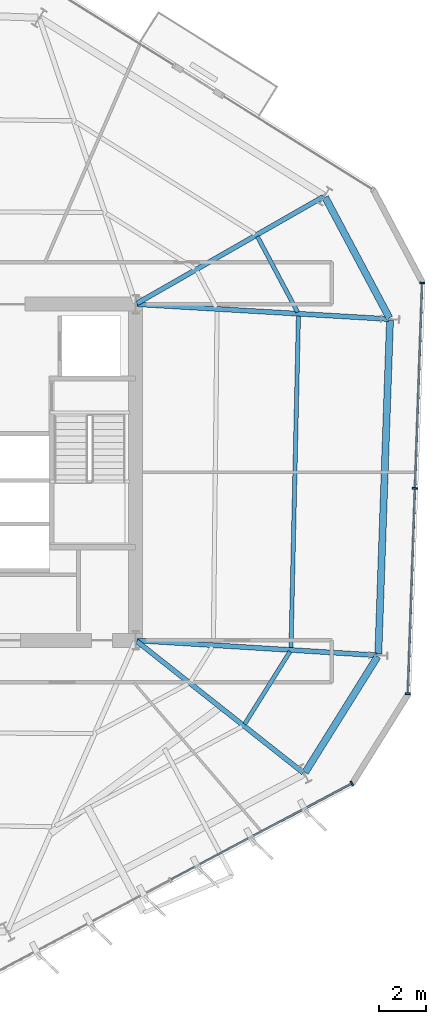
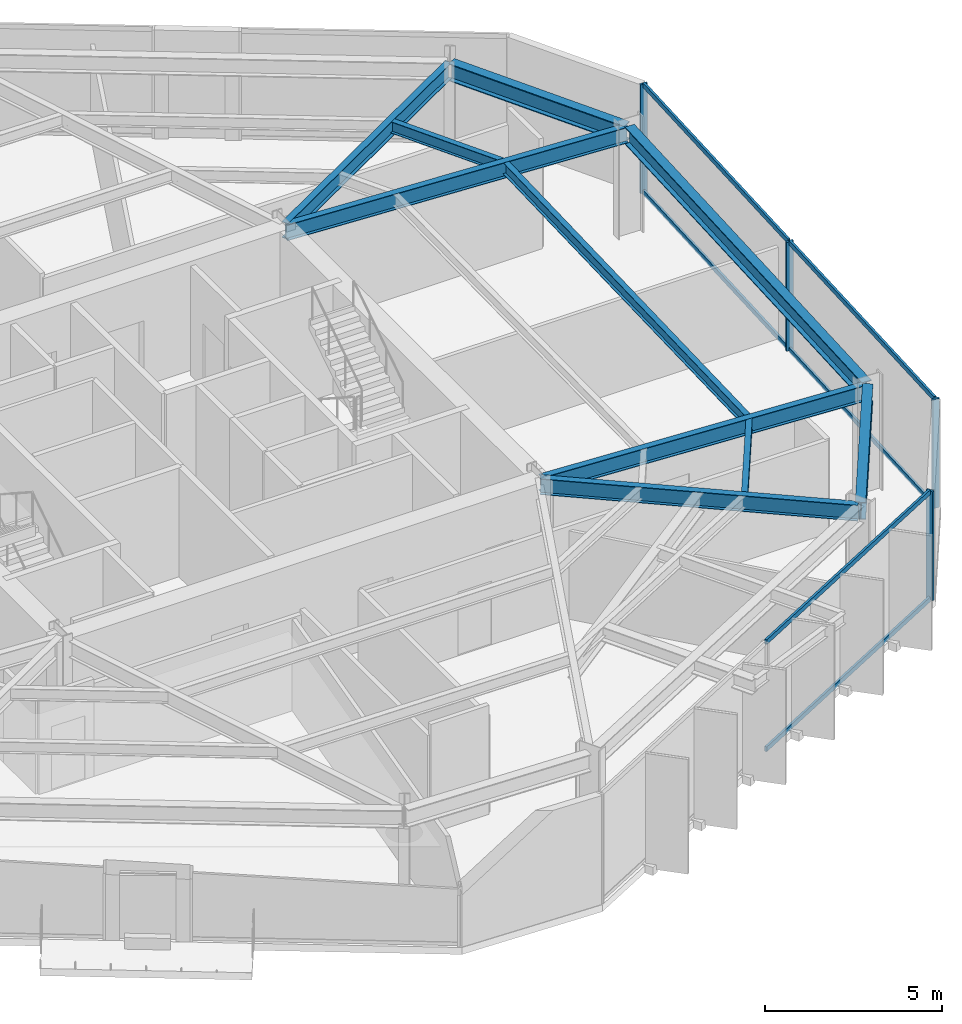
# One storey, part 4 of 12: 10 beams, 10 members, 2 elements without a shape of their own.
"""IFC4 building model written with IfcOpenShell, lengths in metres."""

from ifc_helpers import new_model, si_unit, direction, frame, origin, origin_2d, place, context, subcontext, project, spatial, rectangle, i_section, extrude, material, layer, layer_set, material_profile, profile_set, type_object, element, aggregate, save


model = new_model("IFC4")

# Units and contexts
model_context = context("Model", 3, precision=1e-05, world=origin(), true_north=direction((0.0, 1.0)))
body_context = subcontext(model_context, "Body", "Model", "MODEL_VIEW")
ifc_project = project(units=[si_unit("LENGTHUNIT", "METRE"), si_unit("AREAUNIT", "SQUARE_METRE"), si_unit("VOLUMEUNIT", "CUBIC_METRE"), si_unit("PLANEANGLEUNIT", "RADIAN"), si_unit("MASSUNIT", "GRAM", prefix="KILO")], contexts=[model_context])

# Site, building, storey
site_placement = place(None, origin())
site = spatial("IfcSite", under=ifc_project, at=site_placement, CompositionType="ELEMENT")
building_placement = place(site_placement, origin())
building = spatial("IfcBuilding", under=site, at=building_placement, Name="Kranzbogen Civic Tower", CompositionType="ELEMENT")
storey_placement = place(building_placement, frame((0.0, 0.0, 134.39990234375)))
storey = spatial("IfcBuildingStorey", under=building, at=storey_placement, Name="L32", CompositionType="ELEMENT", Elevation=134.39990234375)

# Curtain wall, member
ifc_material_1 = material(Name="Pale Anodised Aluminium", Category="aluminium")
ifc_layer = layer(ifc_material_1, 0.219970703125, Name="Pale Anodised Aluminium")
ifc_layer_set = layer_set([ifc_layer], Name="Pale Anodised Aluminium")
curtain_wall_type = type_object("IfcCurtainWallType", Name="Zone 2 Stick Curtain Wall System CW-03", PredefinedType="USERDEFINED", material=ifc_layer_set)
curtain_wall_1_placement = place(storey_placement, origin())
curtain_wall_1 = element("IfcCurtainWall", 1, at=curtain_wall_1_placement, inside=storey, type_object=curtain_wall_type, Name="L32 curtain wall CW-L32-F5", ObjectType="STICK CURTAIN WALL", PredefinedType="USERDEFINED")
ifc_material_profile_1 = material_profile(ifc_material_1, rectangle(XDim=0.074951171875, YDim=0.219970703125, at=origin_2d()), Name="ALU-M 75x220")
ifc_profile_set_1 = profile_set([ifc_material_profile_1], Name="Pale Anodised Aluminium")
member_type_1 = type_object("IfcMemberType", Name="Curtain Wall Mullion ALU-M 75x220", PredefinedType="MULLION", material=ifc_profile_set_1)
member_1_placement = place(storey_placement, frame((42.056396484375, 11.676025390625, 0.0), z_axis=(0.0, 0.0, 1.0), x_axis=(0.882952257691, 0.469462789408, 0.0)))
member_1 = element("IfcMember", 2, at=member_1_placement, type_object=member_type_1, Name="CW-03 mullion 3", PredefinedType="MULLION", context=body_context, shape_type="SweptSolid", body=[
    extrude(rectangle(XDim=0.074951171875, YDim=0.219970703125, at=origin_2d()), origin(), (0.0, 0.0, 1.0), 3.760009765625),
])

# Curtain wall, members
curtain_wall_2_placement = place(storey_placement, origin())
curtain_wall_2 = element("IfcCurtainWall", 3, at=curtain_wall_2_placement, inside=storey, type_object=curtain_wall_type, Name="L32 curtain wall CW-L32-F6", ObjectType="STICK CURTAIN WALL", PredefinedType="USERDEFINED")
member_2_placement = place(storey_placement, frame((44.453125, 15.511962890625, 0.0), z_axis=(0.0, 0.0, 1.0), x_axis=(0.034867774782, 0.999391934269, 0.0)))
member_2 = element("IfcMember", 4, at=member_2_placement, type_object=member_type_1, Name="CW-03 mullion 1", PredefinedType="MULLION", context=body_context, shape_type="SweptSolid", body=[
    extrude(rectangle(XDim=0.074951171875, YDim=0.219970703125, at=origin_2d()), origin(), (0.0, 0.0, 1.0), 3.760009765625),
])
member_3_placement = place(storey_placement, frame((44.760009765625, 24.31005859375, 0.0), z_axis=(0.0, 0.0, 1.0), x_axis=(0.034867774782, 0.999391934269, 0.0)))
member_3 = element("IfcMember", 5, at=member_3_placement, type_object=member_type_1, Name="CW-03 mullion 2", PredefinedType="MULLION", context=body_context, shape_type="SweptSolid", body=[
    extrude(rectangle(XDim=0.074951171875, YDim=0.219970703125, at=origin_2d()), origin(), (0.0, 0.0, 1.0), 3.760009765625),
])
member_4_placement = place(storey_placement, frame((45.06689453125, 33.10791015625, 0.0), z_axis=(0.0, 0.0, 1.0), x_axis=(0.034867774782, 0.999391934269, 0.0)))
member_4 = element("IfcMember", 6, at=member_4_placement, type_object=member_type_1, Name="CW-03 mullion 3", PredefinedType="MULLION", context=body_context, shape_type="SweptSolid", body=[
    extrude(rectangle(XDim=0.074951171875, YDim=0.219970703125, at=origin_2d()), origin(), (0.0, 0.0, 1.0), 3.760009765625),
])

# Member
ifc_material_profile_2 = material_profile(ifc_material_1, rectangle(XDim=0.074951171875, YDim=0.1650390625, at=origin_2d()), Name="ALU-T 75x165")
ifc_profile_set_2 = profile_set([ifc_material_profile_2], Name="Pale Anodised Aluminium")
member_type_2 = type_object("IfcMemberType", Name="Curtain Wall Transom ALU-T 75x165", PredefinedType="USERDEFINED", material=ifc_profile_set_2)
member_5_placement = place(storey_placement, frame((34.30908203125, 7.556640625, 0.030029296875), z_axis=(0.882951189484, 0.469464798456, 0.0), x_axis=(-0.469464798456, 0.882951189484, 0.0)))
member_5 = element("IfcMember", 7, at=member_5_placement, type_object=member_type_2, Name="CW-03 transom 2.1", ObjectType="TRANSOM", PredefinedType="USERDEFINED", context=body_context, shape_type="SweptSolid", body=[
    extrude(rectangle(XDim=0.074951171875, YDim=0.1650390625, at=origin_2d()), origin(), (0.0, 0.0, 1.0), 8.744384765625),
])

member_6_placement = place(storey_placement, frame((34.30908203125, 7.556640625, 3.72998046875), z_axis=(0.882951189484, 0.469464798456, 0.0), x_axis=(-0.469464798456, 0.882951189484, 0.0)))
member_6 = element("IfcMember", 8, at=member_6_placement, type_object=member_type_2, Name="CW-03 transom 2.2", ObjectType="TRANSOM", PredefinedType="USERDEFINED", context=body_context, shape_type="SweptSolid", body=[
    extrude(rectangle(XDim=0.074951171875, YDim=0.1650390625, at=origin_2d()), origin(), (0.0, 0.0, 1.0), 8.744384765625),
])

aggregate(curtain_wall_1, [member_1, member_5, member_6])

member_7_placement = place(storey_placement, frame((44.4541015625, 15.5419921875, 0.030029296875), z_axis=(0.034875811675, 0.999391653837, 0.0), x_axis=(-0.999391653837, 0.034875811675, 0.0)))
member_7 = element("IfcMember", 9, at=member_7_placement, type_object=member_type_2, Name="CW-03 transom 1.1", ObjectType="TRANSOM", PredefinedType="USERDEFINED", context=body_context, shape_type="SweptSolid", body=[
    extrude(rectangle(XDim=0.074951171875, YDim=0.1650390625, at=origin_2d()), origin(), (0.0, 0.0, 1.0), 8.743408203125),
])

member_8_placement = place(storey_placement, frame((44.4541015625, 15.5419921875, 3.72998046875), z_axis=(0.034875811675, 0.999391653837, 0.0), x_axis=(-0.999391653837, 0.034875811675, 0.0)))
member_8 = element("IfcMember", 10, at=member_8_placement, type_object=member_type_2, Name="CW-03 transom 1.2", ObjectType="TRANSOM", PredefinedType="USERDEFINED", context=body_context, shape_type="SweptSolid", body=[
    extrude(rectangle(XDim=0.074951171875, YDim=0.1650390625, at=origin_2d()), origin(), (0.0, 0.0, 1.0), 8.743408203125),
])

member_9_placement = place(storey_placement, frame((44.760986328125, 24.340087890625, 0.030029296875), z_axis=(0.034875811675, 0.999391653837, 0.0), x_axis=(-0.999391653837, 0.034875811675, 0.0)))
member_9 = element("IfcMember", 11, at=member_9_placement, type_object=member_type_2, Name="CW-03 transom 2.1", ObjectType="TRANSOM", PredefinedType="USERDEFINED", context=body_context, shape_type="SweptSolid", body=[
    extrude(rectangle(XDim=0.074951171875, YDim=0.1650390625, at=origin_2d()), origin(), (0.0, 0.0, 1.0), 8.743408203125),
])

member_10_placement = place(storey_placement, frame((44.760986328125, 24.340087890625, 3.72998046875), z_axis=(0.034875811675, 0.999391653837, 0.0), x_axis=(-0.999391653837, 0.034875811675, 0.0)))
member_10 = element("IfcMember", 12, at=member_10_placement, type_object=member_type_2, Name="CW-03 transom 2.2", ObjectType="TRANSOM", PredefinedType="USERDEFINED", context=body_context, shape_type="SweptSolid", body=[
    extrude(rectangle(XDim=0.074951171875, YDim=0.1650390625, at=origin_2d()), origin(), (0.0, 0.0, 1.0), 8.743408203125),
])

aggregate(curtain_wall_2, [member_2, member_3, member_4, member_7, member_8, member_9, member_10])

# Beams
ifc_material_2 = material(Name="Steel S355", Category="steel")
ifc_material_profile_3 = material_profile(ifc_material_2, i_section(OverallWidth=0.300048828125, OverallDepth=0.60009765625, WebThickness=0.015380859375, FlangeThickness=0.030029296875, at=origin_2d()), Name="HEB 600")
ifc_profile_set_3 = profile_set([ifc_material_profile_3], Name="Steel S355")
beam_type_1 = type_object("IfcBeamType", Name="Perimeter Tube Spandrel Beam HEB 600", PredefinedType="SPANDREL", material=ifc_profile_set_3)
beam_1_placement = place(storey_placement, frame((40.054931640625, 12.14306640625, 3.460205078125), z_axis=(0.529863902903, 0.848082687242, 0.0), x_axis=(-0.848082687242, 0.529863902903, 0.0)))
element("IfcBeam", 13, at=beam_1_placement, inside=storey, type_object=beam_type_1, Name="L32 perimeter spandrel beam 05", PredefinedType="SPANDREL", context=body_context, shape_type="SweptSolid", body=[
    extrude(i_section(OverallWidth=0.300048828125, OverallDepth=0.60009765625, WebThickness=0.015380859375, FlangeThickness=0.030029296875, at=origin_2d()), origin(), (0.0, 0.0, 1.0), 5.850830078125),
])
beam_2_placement = place(storey_placement, frame((43.18896484375, 17.216064453125, 3.460205078125), z_axis=(0.034924229103, 0.999389963038, 0.0), x_axis=(-0.999389963038, 0.034924229103, 0.0)))
element("IfcBeam", 14, at=beam_2_placement, inside=storey, type_object=beam_type_1, Name="L32 perimeter spandrel beam 06", PredefinedType="SPANDREL", context=body_context, shape_type="SweptSolid", body=[
    extrude(i_section(OverallWidth=0.300048828125, OverallDepth=0.60009765625, WebThickness=0.015380859375, FlangeThickness=0.030029296875, at=origin_2d()), origin(), (0.0, 0.0, 1.0), 14.288818359375),
])
beam_3_placement = place(storey_placement, frame((43.662109375, 31.60888671875, 3.460205078125), z_axis=(-0.469565926668, 0.882897412224, 0.0), x_axis=(-0.882897412224, -0.469565926668, 0.0)))
element("IfcBeam", 15, at=beam_3_placement, inside=storey, type_object=beam_type_1, Name="L32 perimeter spandrel beam 07", PredefinedType="SPANDREL", context=body_context, shape_type="SweptSolid", body=[
    extrude(i_section(OverallWidth=0.300048828125, OverallDepth=0.60009765625, WebThickness=0.015380859375, FlangeThickness=0.030029296875, at=origin_2d()), origin(), (0.0, 0.0, 1.0), 5.852294921875),
])
ifc_material_profile_4 = material_profile(ifc_material_2, i_section(OverallWidth=0.2099609375, OverallDepth=0.550048828125, WebThickness=0.010986328125, FlangeThickness=0.01708984375, at=origin_2d()), Name="IPE 550")
ifc_profile_set_4 = profile_set([ifc_material_profile_4], Name="Steel S355")
beam_type_2 = type_object("IfcBeamType", Name="Radial Tower Floor Girder IPE 550", PredefinedType="BEAM", material=ifc_profile_set_4)
beam_4_placement = place(storey_placement, frame((39.97607421875, 12.12890625, 3.485107421875), z_axis=(-0.78457455683, 0.620034486763, 0.0), x_axis=(-0.620034486763, -0.78457455683, 0.0)))
element("IfcBeam", 16, at=beam_4_placement, inside=storey, type_object=beam_type_2, Name="L32 radial floor girder 05", PredefinedType="BEAM", context=body_context, shape_type="SweptSolid", body=[
    extrude(i_section(OverallWidth=0.2099609375, OverallDepth=0.550048828125, WebThickness=0.010986328125, FlangeThickness=0.01708984375, at=origin_2d()), origin(), (0.0, 0.0, 1.0), 9.086669921875),
])
beam_5_placement = place(storey_placement, frame((43.126953125, 17.159912109375, 3.485107421875), z_axis=(-0.998086872961, 0.061827130147, 0.0), x_axis=(-0.061827130147, -0.998086872961, 0.0)))
element("IfcBeam", 17, at=beam_5_placement, inside=storey, type_object=beam_type_2, Name="L32 radial floor girder 06", PredefinedType="BEAM", context=body_context, shape_type="SweptSolid", body=[
    extrude(i_section(OverallWidth=0.2099609375, OverallDepth=0.550048828125, WebThickness=0.010986328125, FlangeThickness=0.01708984375, at=origin_2d()), origin(), (0.0, 0.0, 1.0), 10.28662109375),
])
beam_6_placement = place(storey_placement, frame((43.6298828125, 31.56005859375, 3.485107421875), z_axis=(-0.998260925387, 0.058950189528, 0.0), x_axis=(-0.058950189528, -0.998260925387, 0.0)))
element("IfcBeam", 18, at=beam_6_placement, inside=storey, type_object=beam_type_2, Name="L32 radial floor girder 07", PredefinedType="BEAM", context=body_context, shape_type="SweptSolid", body=[
    extrude(i_section(OverallWidth=0.2099609375, OverallDepth=0.550048828125, WebThickness=0.010986328125, FlangeThickness=0.01708984375, at=origin_2d()), origin(), (0.0, 0.0, 1.0), 10.78857421875),
])
beam_7_placement = place(storey_placement, frame((40.833984375, 36.799072265625, 3.485107421875), z_axis=(-0.867868812182, -0.496793442833, 0.0), x_axis=(0.496793442833, -0.867868812182, 0.0)))
element("IfcBeam", 19, at=beam_7_placement, inside=storey, type_object=beam_type_2, Name="L32 radial floor girder 08", PredefinedType="BEAM", context=body_context, shape_type="SweptSolid", body=[
    extrude(i_section(OverallWidth=0.2099609375, OverallDepth=0.550048828125, WebThickness=0.010986328125, FlangeThickness=0.01708984375, at=origin_2d()), origin(), (0.0, 0.0, 1.0), 9.197265625),
])
ifc_material_profile_5 = material_profile(ifc_material_2, i_section(OverallWidth=0.179931640625, OverallDepth=0.39990234375, WebThickness=0.008544921875, FlangeThickness=0.013427734375, at=origin_2d()), Name="IPE 400")
ifc_profile_set_5 = profile_set([ifc_material_profile_5], Name="Steel S355")
beam_type_3 = type_object("IfcBeamType", Name="Secondary Composite Floor Joist IPE 400", PredefinedType="JOIST", material=ifc_profile_set_5)
beam_8_placement = place(storey_placement, frame((37.465087890625, 14.215087890625, 3.56005859375), z_axis=(0.529867065107, 0.848080711557, 0.0), x_axis=(-0.848080711557, 0.529867065107, 0.0)))
element("IfcBeam", 20, at=beam_8_placement, inside=storey, type_object=beam_type_3, Name="L32 secondary floor joist 1.05", PredefinedType="JOIST", context=body_context, shape_type="SweptSolid", body=[
    extrude(i_section(OverallWidth=0.179931640625, OverallDepth=0.39990234375, WebThickness=0.008544921875, FlangeThickness=0.013427734375, at=origin_2d()), origin(), (0.0, 0.0, 1.0), 3.6611328125),
])
beam_9_placement = place(storey_placement, frame((39.448974609375, 17.468017578125, 3.56005859375), z_axis=(0.022402523442, 0.999749031979, 0.0), x_axis=(-0.999749031979, 0.022402523442, 0.0)))
element("IfcBeam", 21, at=beam_9_placement, inside=storey, type_object=beam_type_3, Name="L32 secondary floor joist 1.06", PredefinedType="JOIST", context=body_context, shape_type="SweptSolid", body=[
    extrude(i_section(OverallWidth=0.179931640625, OverallDepth=0.39990234375, WebThickness=0.008544921875, FlangeThickness=0.013427734375, at=origin_2d()), origin(), (0.0, 0.0, 1.0), 14.24365234375),
])
beam_10_placement = place(storey_placement, frame((39.73193359375, 31.85791015625, 3.56005859375), z_axis=(-0.469338791783, 0.88301817565, 0.0), x_axis=(-0.88301817565, -0.469338791783, 0.0)))
element("IfcBeam", 22, at=beam_10_placement, inside=storey, type_object=beam_type_3, Name="L32 secondary floor joist 1.07", PredefinedType="JOIST", context=body_context, shape_type="SweptSolid", body=[
    extrude(i_section(OverallWidth=0.179931640625, OverallDepth=0.39990234375, WebThickness=0.008544921875, FlangeThickness=0.013427734375, at=origin_2d()), origin(), (0.0, 0.0, 1.0), 3.66259765625),
])

save(model, "model.ifc")
